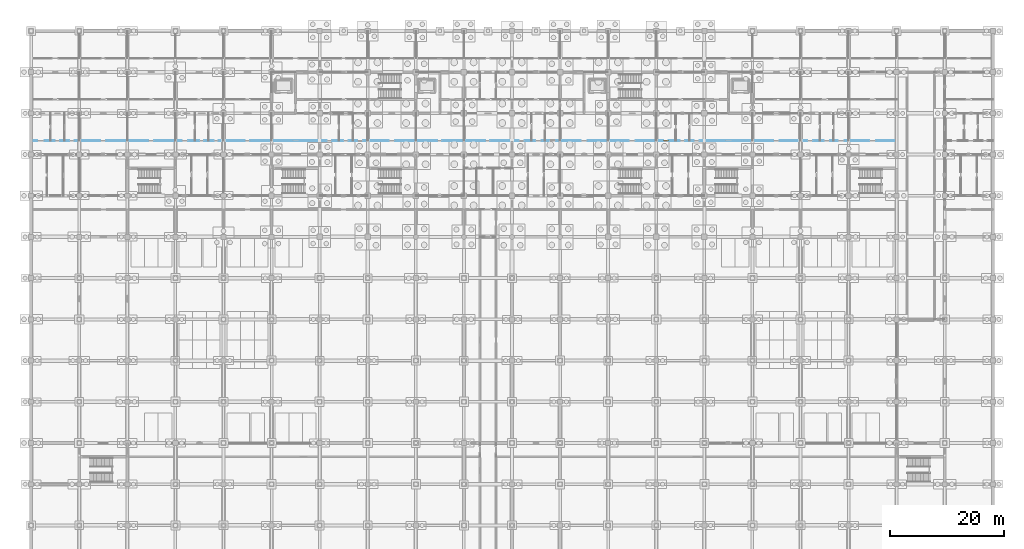
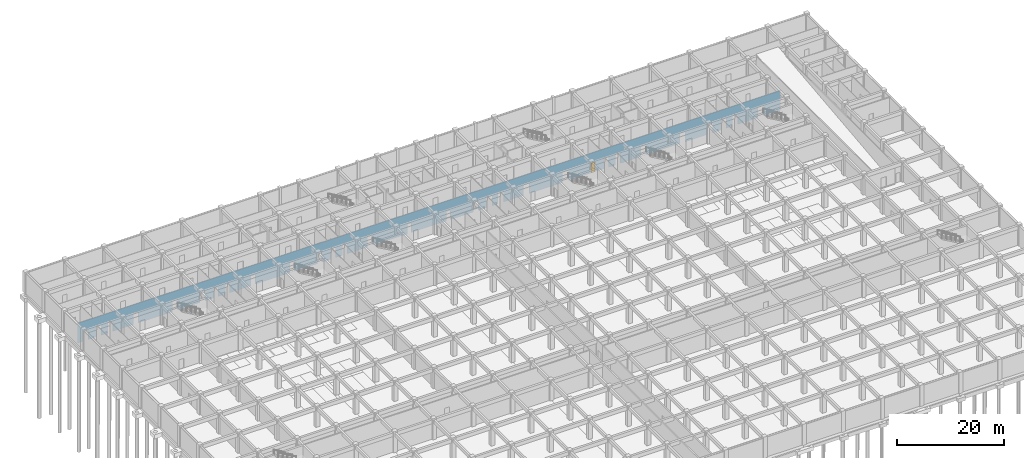
# One storey, part 62 of 85: 1 door, 30 openings, plus 1 element that does not belong to this part.
"""IFC4 building model written with IfcOpenShell, lengths in metres."""

import ifcopenshell
import ifcopenshell.guid

model = None  # the IFC model being written
_history = None  # IfcOwnerHistory: only IFC2X3 demands one
_inside = {}  # id of a spatial element -> (the spatial element, [elements in it])
_under = {}  # id of a project, library or spatial element -> (it, [spatial elements below it])
_declared = {}  # id of a project -> (the project, [libraries it declares])
_typed = {}  # id of a type object -> (the type object, [elements of that type])
_made_of = {}  # id of a material, layer set ... -> (it, [elements and type objects made of it])


def new_model(schema):
    """Start an empty IFC model of exactly this schema.

    Asked for "IFC4X3", IfcOpenShell would pick the latest addendum, in which some entities
    have other attributes; the version numbers below select the first issue.
    IFC2X3 requires an IfcOwnerHistory on every rooted entity: one is made here for all.
    """
    global model, _history
    if schema == "IFC4X3":
        model = ifcopenshell.file(schema_version=(4, 3, 0, 0))
    else:
        model = ifcopenshell.file(schema=schema)
    _inside.clear()
    _under.clear()
    _declared.clear()
    _typed.clear()
    _made_of.clear()
    _history = None
    if model.schema == "IFC2X3":
        org = make("IfcOrganization", Name="unknown")
        user = make(
            "IfcPersonAndOrganization",
            ThePerson=make("IfcPerson", FamilyName="unknown"),
            TheOrganization=org,
        )
        app = make(
            "IfcApplication",
            ApplicationDeveloper=org,
            Version="unknown",
            ApplicationFullName="unknown",
            ApplicationIdentifier="unknown",
        )
        _history = make(
            "IfcOwnerHistory",
            OwningUser=user,
            OwningApplication=app,
            ChangeAction="ADDED",
            CreationDate=0,
        )
    return model


def make(cls, **values):
    """One entity of the class cls with the attributes given. An attribute that is None is left unset."""
    return model.create_entity(
        cls, **{name: value for name, value in values.items() if value is not None}
    )


def rooted(cls, **values):
    """An entity with a GlobalId (a new one), such as an element, a storey or a relation."""
    return make(cls, GlobalId=ifcopenshell.guid.new(), OwnerHistory=_history, **values)


def si_unit(unit_type, name, prefix=None):
    """IfcSIUnit, for example si_unit("LENGTHUNIT", "METRE", prefix="MILLI")."""
    return make("IfcSIUnit", UnitType=unit_type, Prefix=prefix, Name=name)


def assignment(units):
    """IfcUnitAssignment: the units of a project."""
    return None if units is None else make("IfcUnitAssignment", Units=units)


def point(xyz):
    """IfcCartesianPoint."""
    return None if xyz is None else make("IfcCartesianPoint", Coordinates=xyz)


def direction(xyz):
    """IfcDirection."""
    return None if xyz is None else make("IfcDirection", DirectionRatios=xyz)


def frame(location, z_axis=None, x_axis=None):
    """IfcAxis2Placement3D, a coordinate frame: its origin and axes. An axis left out is left unset."""
    return make(
        "IfcAxis2Placement3D",
        Location=point(location),
        Axis=direction(z_axis),
        RefDirection=direction(x_axis),
    )


def frame_2d(location, x_axis=None):
    """IfcAxis2Placement2D, a coordinate frame in the plane: its origin and x axis."""
    return make(
        "IfcAxis2Placement2D", Location=point(location), RefDirection=direction(x_axis)
    )


def origin():
    """The frame at (0, 0, 0) with its axes left unset."""
    return frame((0.0, 0.0, 0.0))


def place(relative_to, where):
    """IfcLocalPlacement: puts the frame where relative to a parent placement (None: the world)."""
    return make(
        "IfcLocalPlacement", PlacementRelTo=relative_to, RelativePlacement=where
    )


def context(
    kind, dimensions, precision=None, world=None, true_north=None, identifier=None
):
    """IfcGeometricRepresentationContext, for example the 3D "Model" context."""
    return make(
        "IfcGeometricRepresentationContext",
        ContextIdentifier=identifier,
        ContextType=kind,
        CoordinateSpaceDimension=dimensions,
        Precision=precision,
        WorldCoordinateSystem=world,
        TrueNorth=true_north,
    )


def subcontext(parent, identifier, kind, view, scale=None):
    """IfcGeometricRepresentationSubContext, for example "Body" below "Model"."""
    return make(
        "IfcGeometricRepresentationSubContext",
        ContextIdentifier=identifier,
        ContextType=kind,
        ParentContext=parent,
        TargetScale=scale,
        TargetView=view,
    )


def project(units=None, contexts=None):
    """IfcProject with its units and contexts."""
    return rooted(
        "IfcProject",
        Name="project",
        RepresentationContexts=contexts,
        UnitsInContext=assignment(units),
    )


def spatial(cls, under=None, at=None, **own):
    """A site, building, storey or space (cls), placed at a placement, below another one or the project."""
    s = rooted(cls, ObjectPlacement=at, **own)
    if under is not None:
        _under.setdefault(under.id(), (under, []))[1].append(s)
    return s


def profile(cls, at=None, kind="AREA", **sizes):
    """A parametric profile (cls). Its sizes go by their IFC names, for example OverallWidth=200.0."""
    return make(cls, ProfileType=kind, Position=at, **sizes)


def rectangle(**sizes):
    """IfcRectangleProfileDef."""
    return profile("IfcRectangleProfileDef", **sizes)


def extrude(swept, where, along, depth):
    """IfcExtrudedAreaSolid: the profile swept, set in the frame where, extruded along a direction by depth."""
    return make(
        "IfcExtrudedAreaSolid",
        SweptArea=swept,
        Position=where,
        ExtrudedDirection=direction(along),
        Depth=depth,
    )


def shape(context_of_items, identifier, shape_type, items):
    """IfcShapeRepresentation: the items that make up one representation, for example the "Body"."""
    return make(
        "IfcShapeRepresentation",
        ContextOfItems=context_of_items,
        RepresentationIdentifier=identifier,
        RepresentationType=shape_type,
        Items=items,
    )


def material(Name=None, Category=None):
    """IfcMaterial."""
    return make("IfcMaterial", Name=Name, Category=Category)


def layer(
    of_material, thickness, ventilated=None, Name=None, Category=None, Priority=None
):
    """IfcMaterialLayer: one layer of a wall or slab, of a material (None: an air gap)."""
    return make(
        "IfcMaterialLayer",
        Material=of_material,
        LayerThickness=thickness,
        IsVentilated=ventilated,
        Name=Name,
        Category=Category,
        Priority=Priority,
    )


def layer_set(layers, Name=None):
    """IfcMaterialLayerSet."""
    return make("IfcMaterialLayerSet", MaterialLayers=layers, LayerSetName=Name)


def made_of(thing, what):
    """Note that an element or type object is made of a material, layer set ...; save() writes the relation."""
    if what is not None:
        _made_of.setdefault(what.id(), (what, []))[1].append(thing)
    return thing


def type_object(cls, material=None, **own):
    """A type object (cls), such as IfcWallType, which elements share."""
    return made_of(rooted(cls, **own), material)


def element(
    cls,
    number,
    at=None,
    inside=None,
    cuts=None,
    type_object=None,
    material=None,
    context=None,
    identifier="Body",
    shape_type=None,
    held_by="IfcProductDefinitionShape",
    body=None,
    shapes=None,
    **own,
):
    """One element of the class cls, such as IfcWall. Its Tag is "e" and its number.

    at: its placement. inside: the storey or other place that contains it. cuts: it is an
    opening in that element (IfcRelVoidsElement). A single representation is given by context,
    identifier, shape_type and body (its items); several are given by shapes. held_by: the class
    of the entity that holds the representations. save() writes the other relations.
    """
    e = rooted(cls, Tag="e%d" % number, ObjectPlacement=at, **own)
    if body is not None:
        shapes = [shape(context, identifier, shape_type, body)]
    if shapes is not None:
        e.Representation = make(held_by, Representations=shapes)
    if inside is not None:
        _inside.setdefault(inside.id(), (inside, []))[1].append(e)
    if cuts is not None:
        rooted(
            "IfcRelVoidsElement", RelatingBuildingElement=cuts, RelatedOpeningElement=e
        )
    if type_object is not None:
        _typed.setdefault(type_object.id(), (type_object, []))[1].append(e)
    return made_of(e, material)


def fill(opening, filler):
    """IfcRelFillsElement: the door or window that sits in an opening."""
    return rooted(
        "IfcRelFillsElement",
        RelatingOpeningElement=opening,
        RelatedBuildingElement=filler,
    )


def aggregate(whole, parts):
    """IfcRelAggregates: a whole, such as a stair, and the parts it consists of."""
    return rooted("IfcRelAggregates", RelatingObject=whole, RelatedObjects=parts)


def save(model, path):
    """Write the relations noted so far, then the file.

    IfcRelAggregates (storeys below a building ...), IfcRelContainedInSpatialStructure (elements
    in a storey), IfcRelDefinesByType, IfcRelAssociatesMaterial and IfcRelDeclares: one each for
    every whole, place, type object, material and project.
    """
    for whole, parts in _under.values():
        aggregate(whole, parts)
    for where, things in _inside.values():
        rooted(
            "IfcRelContainedInSpatialStructure",
            RelatedElements=things,
            RelatingStructure=where,
        )
    for kind, things in _typed.values():
        rooted("IfcRelDefinesByType", RelatedObjects=things, RelatingType=kind)
    for what, things in _made_of.values():
        rooted("IfcRelAssociatesMaterial", RelatedObjects=things, RelatingMaterial=what)
    for by, libraries in _declared.values():
        rooted("IfcRelDeclares", RelatingContext=by, RelatedDefinitions=libraries)
    model.write(path)


model = new_model("IFC4")

# Units and contexts
model_context = context("Model", 3, precision=1e-05, world=origin(), true_north=direction((0.0, 1.0)))
body_context = subcontext(model_context, "Body", "Model", "MODEL_VIEW")
ifc_project = project(units=[si_unit("LENGTHUNIT", "METRE"), si_unit("AREAUNIT", "SQUARE_METRE"), si_unit("VOLUMEUNIT", "CUBIC_METRE"), si_unit("PLANEANGLEUNIT", "RADIAN"), si_unit("MASSUNIT", "GRAM", prefix="KILO")], contexts=[model_context])

# Site, building, storey
site_placement = place(None, origin())
site = spatial("IfcSite", under=ifc_project, at=site_placement, CompositionType="ELEMENT")
building_placement = place(site_placement, origin())
building = spatial("IfcBuilding", under=site, at=building_placement, Name="Chengyuan Square Courthouse", CompositionType="ELEMENT")
storey_placement = place(building_placement, frame((0.0, 0.0, -10.199951171875)))
storey = spatial("IfcBuildingStorey", under=building, at=storey_placement, Name="B02", CompositionType="ELEMENT", Elevation=-10.199951171875)

# Wall, openings, door
ifc_material_1 = material(Name="Gypsum Plasterboard Acoustic Stud Partition")
ifc_layer = layer(ifc_material_1, 0.10009765625)
ifc_layer_set = layer_set([ifc_layer], Name="Gypsum Plasterboard Acoustic Stud Partition")
wall_type = type_object("IfcWallType", Name="WL-PT6", PredefinedType="STANDARD", material=ifc_layer_set)
wall_placement = place(storey_placement, frame((0.0400390625, 96.0, 0.0), z_axis=(0.0, 0.0, 1.0), x_axis=(1.0, 0.0, 0.0)))
wall = element("IfcWall", 1, at=wall_placement, inside=storey, type_object=wall_type, Name="Interior Wall WL-B02-I062", PredefinedType="STANDARD", context=body_context, shape_type="SweptSolid", body=[
    extrude(rectangle(XDim=151.159912109375, YDim=0.10009765625, at=frame_2d((75.580078125, 0.0))), origin(), (0.0, 0.0, 1.0), 4.47998046875),
])
opening_1_placement = place(wall_placement, frame((1.0400390625, 0.0, 0.0)))
element("IfcOpeningElement", 2, at=opening_1_placement, cuts=wall, Name="Opening DR-148", PredefinedType="OPENING", context=body_context, shape_type="SweptSolid", body=[
    extrude(rectangle(XDim=1.280029296875, YDim=2.35009765625, at=frame_2d((0.64013671875, 1.175048828125))), frame((0.0, 0.06201171875, 0.0), z_axis=(0.0, -1.0, 0.0), x_axis=(1.0, 0.0, 0.0)), (0.0, 0.0, 1.0), 0.1240234375),
])
opening_2_placement = place(wall_placement, frame((4.090087890625, 0.0, 0.0)))
element("IfcOpeningElement", 3, at=opening_2_placement, cuts=wall, Name="Opening DR-149", PredefinedType="OPENING", context=body_context, shape_type="SweptSolid", body=[
    extrude(rectangle(XDim=0.93994140625, YDim=2.300048828125, at=frame_2d((0.469970703125, 1.14990234375))), frame((0.0, 0.06201171875, 0.0), z_axis=(0.0, -1.0, 0.0), x_axis=(1.0, 0.0, 0.0)), (0.0, 0.0, 1.0), 0.1240234375),
])
opening_3_placement = place(wall_placement, frame((6.570068359375, 0.0, 0.0)))
element("IfcOpeningElement", 4, at=opening_3_placement, cuts=wall, Name="Opening DR-150", PredefinedType="OPENING", context=body_context, shape_type="SweptSolid", body=[
    extrude(rectangle(XDim=0.97998046875, YDim=2.35009765625, at=frame_2d((0.489990234375, 1.175048828125))), frame((0.0, 0.06201171875, 0.0), z_axis=(0.0, -1.0, 0.0), x_axis=(1.0, 0.0, 0.0)), (0.0, 0.0, 1.0), 0.1240234375),
])
opening_4_placement = place(wall_placement, frame((12.050048828125, 0.0, 0.0)))
element("IfcOpeningElement", 5, at=opening_4_placement, cuts=wall, Name="Opening DR-151", PredefinedType="OPENING", context=body_context, shape_type="SweptSolid", body=[
    extrude(rectangle(XDim=1.02001953125, YDim=2.39990234375, at=frame_2d((0.510009765625, 1.199951171875))), frame((0.0, 0.06201171875, 0.0), z_axis=(0.0, -1.0, 0.0), x_axis=(1.0, 0.0, 0.0)), (0.0, 0.0, 1.0), 0.1240234375),
])
opening_5_placement = place(wall_placement, frame((20.429931640625, 0.0, 0.0)))
element("IfcOpeningElement", 6, at=opening_5_placement, cuts=wall, Name="Opening DR-152", PredefinedType="OPENING", context=body_context, shape_type="SweptSolid", body=[
    extrude(rectangle(XDim=1.06005859375, YDim=2.39990234375, at=frame_2d((0.530029296875, 1.199951171875))), frame((0.0, 0.06201171875, 0.0), z_axis=(0.0, -1.0, 0.0), x_axis=(1.0, 0.0, 0.0)), (0.0, 0.0, 1.0), 0.1240234375),
])
opening_6_placement = place(wall_placement, frame((26.2900390625, 0.0, 0.0)))
element("IfcOpeningElement", 7, at=opening_6_placement, cuts=wall, Name="Opening DR-153", PredefinedType="OPENING", context=body_context, shape_type="SweptSolid", body=[
    extrude(rectangle(XDim=1.139892578125, YDim=2.39990234375, at=frame_2d((0.56982421875, 1.199951171875))), frame((0.0, 0.06201171875, 0.0), z_axis=(0.0, -1.0, 0.0), x_axis=(1.0, 0.0, 0.0)), (0.0, 0.0, 1.0), 0.1240234375),
])
opening_7_placement = place(wall_placement, frame((29.31005859375, 0.0, 0.0)))
element("IfcOpeningElement", 8, at=opening_7_placement, cuts=wall, Name="Opening DR-154", PredefinedType="OPENING", context=body_context, shape_type="SweptSolid", body=[
    extrude(rectangle(XDim=0.89990234375, YDim=2.14990234375, at=frame_2d((0.449951171875, 1.074951171875))), frame((0.0, 0.06201171875, 0.0), z_axis=(0.0, -1.0, 0.0), x_axis=(1.0, 0.0, 0.0)), (0.0, 0.0, 1.0), 0.1240234375),
])
opening_8_placement = place(wall_placement, frame((31.830078125, 0.0, 0.0)))
element("IfcOpeningElement", 9, at=opening_8_placement, cuts=wall, Name="Opening DR-155", PredefinedType="OPENING", context=body_context, shape_type="SweptSolid", body=[
    extrude(rectangle(XDim=0.860107421875, YDim=2.10009765625, at=frame_2d((0.43017578125, 1.050048828125))), frame((0.0, 0.06201171875, 0.0), z_axis=(0.0, -1.0, 0.0), x_axis=(1.0, 0.0, 0.0)), (0.0, 0.0, 1.0), 0.1240234375),
])
opening_9_placement = place(wall_placement, frame((37.300048828125, 0.0, 0.0)))
element("IfcOpeningElement", 10, at=opening_9_placement, cuts=wall, Name="Opening DR-156", PredefinedType="OPENING", context=body_context, shape_type="SweptSolid", body=[
    extrude(rectangle(XDim=0.919921875, YDim=2.14990234375, at=frame_2d((0.4599609375, 1.074951171875))), frame((0.0, 0.06201171875, 0.0), z_axis=(0.0, -1.0, 0.0), x_axis=(1.0, 0.0, 0.0)), (0.0, 0.0, 1.0), 0.1240234375),
])
opening_10_placement = place(wall_placement, frame((45.679931640625, 0.0, 0.0)))
element("IfcOpeningElement", 11, at=opening_10_placement, cuts=wall, Name="Opening DR-157", PredefinedType="OPENING", context=body_context, shape_type="SweptSolid", body=[
    extrude(rectangle(XDim=0.9599609375, YDim=2.199951171875, at=frame_2d((0.47998046875, 1.10009765625))), frame((0.0, 0.06201171875, 0.0), z_axis=(0.0, -1.0, 0.0), x_axis=(1.0, 0.0, 0.0)), (0.0, 0.0, 1.0), 0.1240234375),
])
opening_11_placement = place(wall_placement, frame((51.570068359375, 0.0, 0.0)))
element("IfcOpeningElement", 12, at=opening_11_placement, cuts=wall, Name="Opening DR-167", PredefinedType="OPENING", context=body_context, shape_type="SweptSolid", body=[
    extrude(rectangle(XDim=0.97998046875, YDim=2.35009765625, at=frame_2d((0.489990234375, 1.175048828125))), frame((0.0, 0.06201171875, 0.0), z_axis=(0.0, -1.0, 0.0), x_axis=(1.0, 0.0, 0.0)), (0.0, 0.0, 1.0), 0.1240234375),
])
opening_12_placement = place(wall_placement, frame((54.449951171875, 0.0, 0.0)))
element("IfcOpeningElement", 13, at=opening_12_placement, cuts=wall, Name="Opening DR-168", PredefinedType="OPENING", context=body_context, shape_type="SweptSolid", body=[
    extrude(rectangle(XDim=1.02001953125, YDim=2.39990234375, at=frame_2d((0.510009765625, 1.199951171875))), frame((0.0, 0.06201171875, 0.0), z_axis=(0.0, -1.0, 0.0), x_axis=(1.0, 0.0, 0.0)), (0.0, 0.0, 1.0), 0.1240234375),
])
opening_13_placement = place(wall_placement, frame((56.929931640625, 0.0, 0.0)))
element("IfcOpeningElement", 14, at=opening_13_placement, cuts=wall, Name="Opening DR-169", PredefinedType="OPENING", context=body_context, shape_type="SweptSolid", body=[
    extrude(rectangle(XDim=1.06005859375, YDim=2.39990234375, at=frame_2d((0.530029296875, 1.199951171875))), frame((0.0, 0.06201171875, 0.0), z_axis=(0.0, -1.0, 0.0), x_axis=(1.0, 0.0, 0.0)), (0.0, 0.0, 1.0), 0.1240234375),
])
opening_14_placement = place(wall_placement, frame((62.389892578125, 0.0, 0.0)))
element("IfcOpeningElement", 15, at=opening_14_placement, cuts=wall, Name="Opening DR-170", PredefinedType="OPENING", context=body_context, shape_type="SweptSolid", body=[
    extrude(rectangle(XDim=1.139892578125, YDim=2.39990234375, at=frame_2d((0.56982421875, 1.199951171875))), frame((0.0, 0.06201171875, 0.0), z_axis=(0.0, -1.0, 0.0), x_axis=(1.0, 0.0, 0.0)), (0.0, 0.0, 1.0), 0.1240234375),
])
opening_15_placement = place(wall_placement, frame((70.909912109375, 0.0, 0.0)))
element("IfcOpeningElement", 16, at=opening_15_placement, cuts=wall, Name="Opening DR-171", PredefinedType="OPENING", context=body_context, shape_type="SweptSolid", body=[
    extrude(rectangle(XDim=0.89990234375, YDim=2.14990234375, at=frame_2d((0.449951171875, 1.074951171875))), frame((0.0, 0.06201171875, 0.0), z_axis=(0.0, -1.0, 0.0), x_axis=(1.0, 0.0, 0.0)), (0.0, 0.0, 1.0), 0.1240234375),
])
opening_16_placement = place(wall_placement, frame((79.330078125, 0.0, 0.0)))
element("IfcOpeningElement", 17, at=opening_16_placement, cuts=wall, Name="Opening DR-172", PredefinedType="OPENING", context=body_context, shape_type="SweptSolid", body=[
    extrude(rectangle(XDim=0.860107421875, YDim=2.10009765625, at=frame_2d((0.43017578125, 1.050048828125))), frame((0.0, 0.06201171875, 0.0), z_axis=(0.0, -1.0, 0.0), x_axis=(1.0, 0.0, 0.0)), (0.0, 0.0, 1.0), 0.1240234375),
])
opening_17_placement = place(wall_placement, frame((85.10009765625, 0.0, 0.0)))
element("IfcOpeningElement", 18, at=opening_17_placement, cuts=wall, Name="Opening DR-178", PredefinedType="OPENING", context=body_context, shape_type="SweptSolid", body=[
    extrude(rectangle(XDim=1.1201171875, YDim=2.25, at=frame_2d((0.56005859375, 1.125))), frame((0.0, 0.06201171875, 0.0), z_axis=(0.0, -1.0, 0.0), x_axis=(1.0, 0.0, 0.0)), (0.0, 0.0, 1.0), 0.1240234375),
])
opening_18_placement = place(wall_placement, frame((87.97998046875, 0.0, 0.0)))
element("IfcOpeningElement", 19, at=opening_18_placement, cuts=wall, Name="Opening DR-179", PredefinedType="OPENING", context=body_context, shape_type="SweptSolid", body=[
    extrude(rectangle(XDim=1.159912109375, YDim=2.300048828125, at=frame_2d((0.580078125, 1.14990234375))), frame((0.0, 0.06201171875, 0.0), z_axis=(0.0, -1.0, 0.0), x_axis=(1.0, 0.0, 0.0)), (0.0, 0.0, 1.0), 0.1240234375),
])
opening_19_placement = place(wall_placement, frame((90.4599609375, 0.0, 0.0)))
element("IfcOpeningElement", 20, at=opening_19_placement, cuts=wall, Name="Opening DR-180", PredefinedType="OPENING", context=body_context, shape_type="SweptSolid", body=[
    extrude(rectangle(XDim=1.199951171875, YDim=2.35009765625, at=frame_2d((0.60009765625, 1.175048828125))), frame((0.0, 0.06201171875, 0.0), z_axis=(0.0, -1.0, 0.0), x_axis=(1.0, 0.0, 0.0)), (0.0, 0.0, 1.0), 0.1240234375),
])
opening_20_placement = place(wall_placement, frame((95.93994140625, 0.0, 0.0)))
element("IfcOpeningElement", 21, at=opening_20_placement, cuts=wall, Name="Opening DR-181", PredefinedType="OPENING", context=body_context, shape_type="SweptSolid", body=[
    extrude(rectangle(XDim=1.239990234375, YDim=2.300048828125, at=frame_2d((0.6201171875, 1.14990234375))), frame((0.0, 0.06201171875, 0.0), z_axis=(0.0, -1.0, 0.0), x_axis=(1.0, 0.0, 0.0)), (0.0, 0.0, 1.0), 0.1240234375),
])
opening_21_placement = place(wall_placement, frame((104.320068359375, 0.0, 0.0)))
element("IfcOpeningElement", 22, at=opening_21_placement, cuts=wall, Name="Opening DR-182", PredefinedType="OPENING", context=body_context, shape_type="SweptSolid", body=[
    extrude(rectangle(XDim=1.280029296875, YDim=2.35009765625, at=frame_2d((0.64013671875, 1.175048828125))), frame((0.0, 0.06201171875, 0.0), z_axis=(0.0, -1.0, 0.0), x_axis=(1.0, 0.0, 0.0)), (0.0, 0.0, 1.0), 0.1240234375),
])
opening_22_placement = place(wall_placement, frame((110.389892578125, 0.0, 0.0)))
opening_22 = element("IfcOpeningElement", 23, at=opening_22_placement, cuts=wall, Name="Opening DR-183", PredefinedType="OPENING", context=body_context, shape_type="SweptSolid", body=[
    extrude(rectangle(XDim=0.93994140625, YDim=2.300048828125, at=frame_2d((0.469970703125, 1.14990234375))), frame((0.0, 0.06201171875, 0.0), z_axis=(0.0, -1.0, 0.0), x_axis=(1.0, 0.0, 0.0)), (0.0, 0.0, 1.0), 0.1240234375),
])
opening_23_placement = place(wall_placement, frame((113.27001953125, 0.0, 0.0)))
element("IfcOpeningElement", 24, at=opening_23_placement, cuts=wall, Name="Opening DR-184", PredefinedType="OPENING", context=body_context, shape_type="SweptSolid", body=[
    extrude(rectangle(XDim=0.97998046875, YDim=2.35009765625, at=frame_2d((0.489990234375, 1.175048828125))), frame((0.0, 0.06201171875, 0.0), z_axis=(0.0, -1.0, 0.0), x_axis=(1.0, 0.0, 0.0)), (0.0, 0.0, 1.0), 0.1240234375),
])
opening_24_placement = place(wall_placement, frame((115.75, 0.0, 0.0)))
element("IfcOpeningElement", 25, at=opening_24_placement, cuts=wall, Name="Opening DR-185", PredefinedType="OPENING", context=body_context, shape_type="SweptSolid", body=[
    extrude(rectangle(XDim=1.02001953125, YDim=2.39990234375, at=frame_2d((0.510009765625, 1.199951171875))), frame((0.0, 0.06201171875, 0.0), z_axis=(0.0, -1.0, 0.0), x_axis=(1.0, 0.0, 0.0)), (0.0, 0.0, 1.0), 0.1240234375),
])
opening_25_placement = place(wall_placement, frame((121.239990234375, 0.0, 0.0)))
element("IfcOpeningElement", 26, at=opening_25_placement, cuts=wall, Name="Opening DR-193", PredefinedType="OPENING", context=body_context, shape_type="SweptSolid", body=[
    extrude(rectangle(XDim=1.0400390625, YDim=2.199951171875, at=frame_2d((0.52001953125, 1.10009765625))), frame((0.0, 0.06201171875, 0.0), z_axis=(0.0, -1.0, 0.0), x_axis=(1.0, 0.0, 0.0)), (0.0, 0.0, 1.0), 0.1240234375),
])
opening_26_placement = place(wall_placement, frame((129.6201171875, 0.0, 0.0)))
element("IfcOpeningElement", 27, at=opening_26_placement, cuts=wall, Name="Opening DR-194", PredefinedType="OPENING", context=body_context, shape_type="SweptSolid", body=[
    extrude(rectangle(XDim=1.080078125, YDim=2.25, at=frame_2d((0.5400390625, 1.125))), frame((0.0, 0.06201171875, 0.0), z_axis=(0.0, -1.0, 0.0), x_axis=(1.0, 0.0, 0.0)), (0.0, 0.0, 1.0), 0.1240234375),
])
opening_27_placement = place(wall_placement, frame((135.5, 0.0, 0.0)))
element("IfcOpeningElement", 28, at=opening_27_placement, cuts=wall, Name="Opening DR-195", PredefinedType="OPENING", context=body_context, shape_type="SweptSolid", body=[
    extrude(rectangle(XDim=1.1201171875, YDim=2.25, at=frame_2d((0.56005859375, 1.125))), frame((0.0, 0.06201171875, 0.0), z_axis=(0.0, -1.0, 0.0), x_axis=(1.0, 0.0, 0.0)), (0.0, 0.0, 1.0), 0.1240234375),
])
opening_28_placement = place(wall_placement, frame((138.3798828125, 0.0, 0.0)))
element("IfcOpeningElement", 29, at=opening_28_placement, cuts=wall, Name="Opening DR-196", PredefinedType="OPENING", context=body_context, shape_type="SweptSolid", body=[
    extrude(rectangle(XDim=1.159912109375, YDim=2.300048828125, at=frame_2d((0.580078125, 1.14990234375))), frame((0.0, 0.06201171875, 0.0), z_axis=(0.0, -1.0, 0.0), x_axis=(1.0, 0.0, 0.0)), (0.0, 0.0, 1.0), 0.1240234375),
])
opening_29_placement = place(wall_placement, frame((140.860107421875, 0.0, 0.0)))
element("IfcOpeningElement", 30, at=opening_29_placement, cuts=wall, Name="Opening DR-197", PredefinedType="OPENING", context=body_context, shape_type="SweptSolid", body=[
    extrude(rectangle(XDim=1.199951171875, YDim=2.35009765625, at=frame_2d((0.60009765625, 1.175048828125))), frame((0.0, 0.06201171875, 0.0), z_axis=(0.0, -1.0, 0.0), x_axis=(1.0, 0.0, 0.0)), (0.0, 0.0, 1.0), 0.1240234375),
])
opening_30_placement = place(wall_placement, frame((146.340087890625, 0.0, 0.0)))
element("IfcOpeningElement", 31, at=opening_30_placement, cuts=wall, Name="Opening DR-198", PredefinedType="OPENING", context=body_context, shape_type="SweptSolid", body=[
    extrude(rectangle(XDim=1.239990234375, YDim=2.300048828125, at=frame_2d((0.6201171875, 1.14990234375))), frame((0.0, 0.06201171875, 0.0), z_axis=(0.0, -1.0, 0.0), x_axis=(1.0, 0.0, 0.0)), (0.0, 0.0, 1.0), 0.1240234375),
])
ifc_material_2 = material(Name="Acoustic Solid-Core Timber Door", Category="wood")
door_type = type_object("IfcDoorType", Name="DT-39", OperationType="NOTDEFINED", PredefinedType="DOOR", material=ifc_material_2)
door_placement = place(opening_22_placement, origin())
door = element("IfcDoor", 32, at=door_placement, inside=storey, type_object=door_type, Name="Interior Door DR-183", OperationType="SINGLE_SWING_RIGHT", OverallHeight=2.300048828125, OverallWidth=0.93994140625, PredefinedType="DOOR", context=body_context, shape_type="SweptSolid", body=[
    extrude(rectangle(XDim=0.93994140625, YDim=2.300048828125, at=frame_2d((0.469970703125, 1.14990234375))), frame((0.0, 0.02490234375, 0.0), z_axis=(0.0, -1.0, 0.0), x_axis=(1.0, 0.0, 0.0)), (0.0, 0.0, 1.0), 0.050048828125),
])
fill(opening_22, door)

save(model, "model.ifc")
